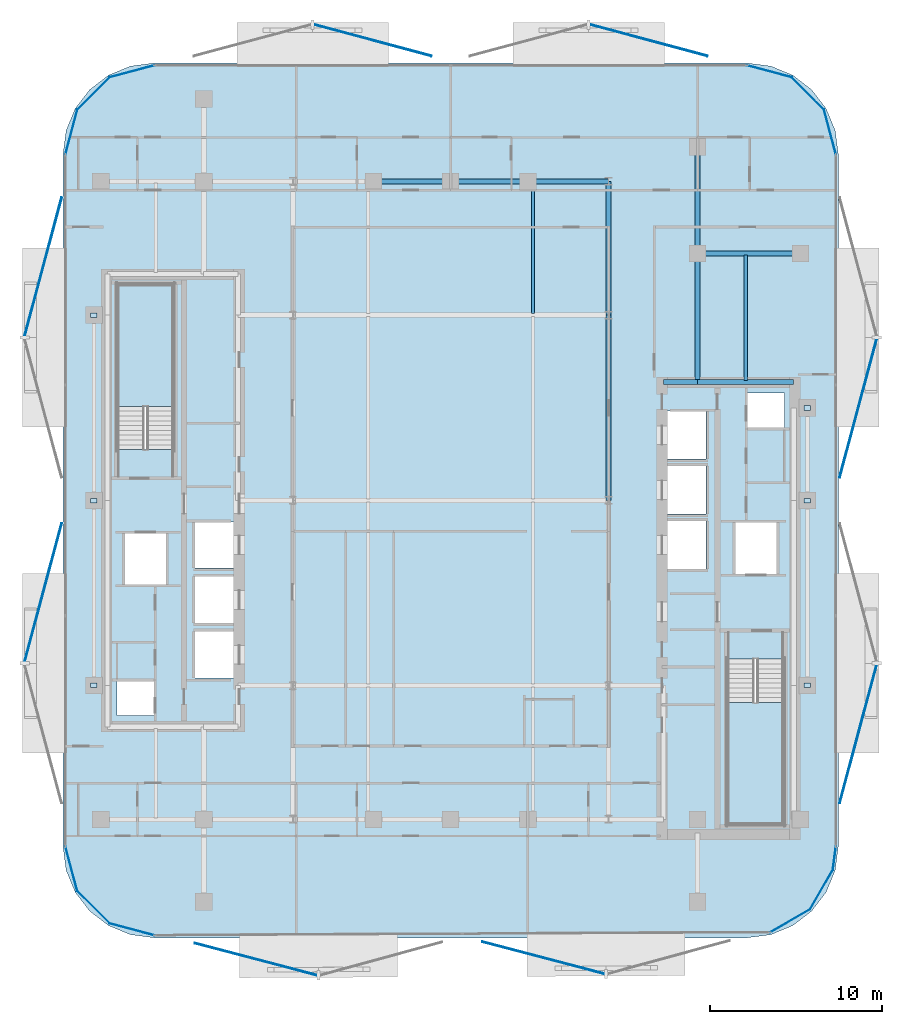
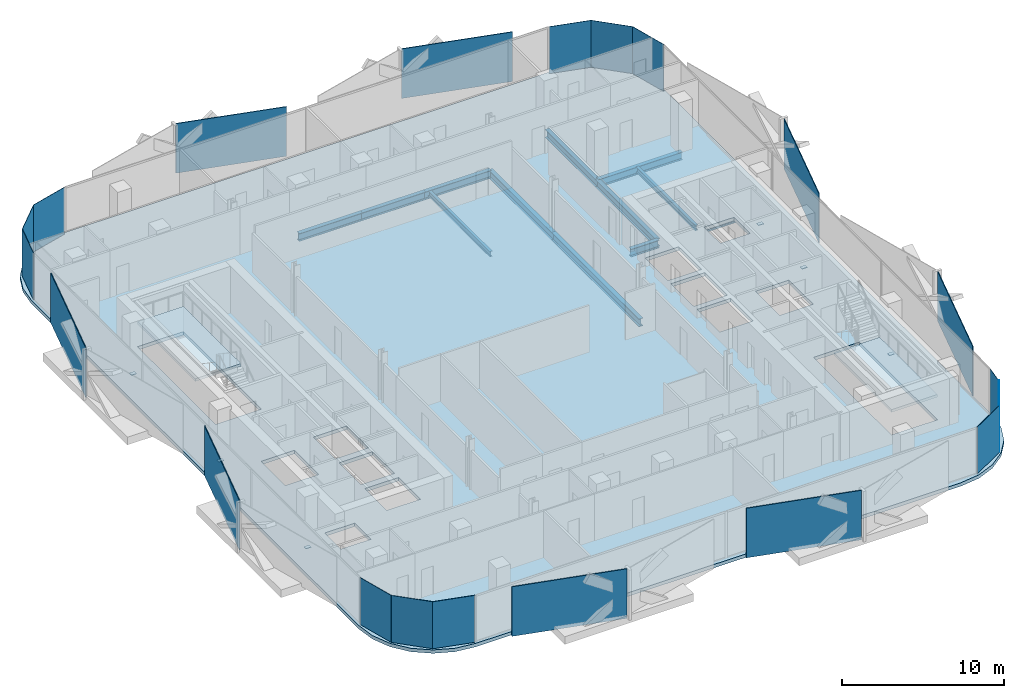
# One storey, part 2 of 17: 26 plates, 12 beams, 3 slabs, 2 elements without a shape of their own.
"""IFC4 building model written with IfcOpenShell, lengths in metres."""

from ifc_helpers import new_model, si_unit, direction, frame, origin, origin_2d, place, context, subcontext, project, spatial, polyline, rectangle, i_section, outline, extrude, material, layer, layer_set, material_profile, profile_set, type_object, element, aggregate, save


model = new_model("IFC4")

# Units and contexts
model_context = context("Model", 3, precision=1e-05, world=origin(), true_north=direction((0.0, 1.0)))
body_context = subcontext(model_context, "Body", "Model", "MODEL_VIEW")
ifc_project = project(units=[si_unit("LENGTHUNIT", "METRE"), si_unit("AREAUNIT", "SQUARE_METRE"), si_unit("VOLUMEUNIT", "CUBIC_METRE"), si_unit("PLANEANGLEUNIT", "RADIAN"), si_unit("MASSUNIT", "GRAM", prefix="KILO")], contexts=[model_context])

# Site, building, storey
site_placement = place(None, origin())
site = spatial("IfcSite", under=ifc_project, at=site_placement, CompositionType="ELEMENT")
building_placement = place(site_placement, origin())
building = spatial("IfcBuilding", under=site, at=building_placement, Name="Khairoan Windgate Tower", CompositionType="ELEMENT")
storey_placement = place(building_placement, frame((0.0, 0.0, 199.199951171875)))
storey = spatial("IfcBuildingStorey", under=building, at=storey_placement, Name="L46", CompositionType="ELEMENT", Elevation=199.199951171875)

# Beams
ifc_material_1 = material(Name="Steel S355", Category="steel")
ifc_material_profile_1 = material_profile(ifc_material_1, i_section(OverallWidth=0.300048828125, OverallDepth=0.587890625, WebThickness=0.011962890625, FlangeThickness=0.02001953125, FilletRadius=0.02392578125, at=origin_2d()))
ifc_profile_set_1 = profile_set([ifc_material_profile_1], Name="Steel S355")
beam_type_1 = type_object("IfcBeamType", Name="Beam B-G4 H588x300x12x20", PredefinedType="BEAM", material=ifc_profile_set_1)
beam_1_placement = place(storey_placement, frame((12.39990234375, 6.89990234375, -0.553955078125), z_axis=(1.0, 0.0, 0.0), x_axis=(0.0, 1.0, 0.0)))
element("IfcBeam", 1, at=beam_1_placement, inside=storey, type_object=beam_type_1, Name="L46 E-W Primary Girder 15", PredefinedType="BEAM", context=body_context, shape_type="SweptSolid", body=[
    extrude(i_section(OverallWidth=0.300048828125, OverallDepth=0.587890625, WebThickness=0.011962890625, FlangeThickness=0.02001953125, FilletRadius=0.02392578125, at=origin_2d()), origin(), (0.0, 0.0, 1.0), 2.0),
])
beam_2_placement = place(storey_placement, frame((14.39990234375, 6.89990234375, -0.553955078125), z_axis=(1.0, 0.0, 0.0), x_axis=(0.0, 1.0, 0.0)))
element("IfcBeam", 2, at=beam_2_placement, inside=storey, type_object=beam_type_1, Name="L46 E-W Primary Girder 16", PredefinedType="BEAM", context=body_context, shape_type="SweptSolid", body=[
    extrude(i_section(OverallWidth=0.300048828125, OverallDepth=0.587890625, WebThickness=0.011962890625, FlangeThickness=0.02001953125, FilletRadius=0.02392578125, at=origin_2d()), origin(), (0.0, 0.0, 1.0), 5.60009765625),
])
beam_3_placement = place(storey_placement, frame((14.39990234375, 14.39990234375, -0.553955078125), z_axis=(1.0, 0.0, 0.0), x_axis=(0.0, 1.0, 0.0)))
element("IfcBeam", 3, at=beam_3_placement, inside=storey, type_object=beam_type_1, Name="L46 E-W Primary Girder 21", PredefinedType="BEAM", context=body_context, shape_type="SweptSolid", body=[
    extrude(i_section(OverallWidth=0.300048828125, OverallDepth=0.587890625, WebThickness=0.011962890625, FlangeThickness=0.02001953125, FilletRadius=0.02392578125, at=origin_2d()), origin(), (0.0, 0.0, 1.0), 6.0),
])
for number, where, z_axis, x_axis, name in (
    (4, (-4.5, 18.60009765625, -0.553955078125), (1.0, 0.0, 0.0), (0.0, 1.0, 0.0), "L46 E-W Primary Girder 25"),
    (5, (0.0, 18.60009765625, -0.553955078125), (1.0, 0.0, 0.0), (0.0, 1.0, 0.0), "L46 E-W Primary Girder 26"),
):
    element("IfcBeam", number, at=place(storey_placement, frame(where, z_axis=z_axis, x_axis=x_axis)), inside=storey, type_object=beam_type_1, Name=name, PredefinedType="BEAM", context=body_context, shape_type="SweptSolid", body=[
        extrude(i_section(OverallWidth=0.300048828125, OverallDepth=0.587890625, WebThickness=0.011962890625, FlangeThickness=0.02001953125, FilletRadius=0.02392578125, at=origin_2d()), origin(), (0.0, 0.0, 1.0), 4.5),
    ])
beam_4_placement = place(storey_placement, frame((4.5, 18.60009765625, -0.553955078125), z_axis=(1.0, 0.0, 0.0), x_axis=(0.0, 1.0, 0.0)))
element("IfcBeam", 6, at=beam_4_placement, inside=storey, type_object=beam_type_1, Name="L46 E-W Primary Girder 27", PredefinedType="BEAM", context=body_context, shape_type="SweptSolid", body=[
    extrude(i_section(OverallWidth=0.300048828125, OverallDepth=0.587890625, WebThickness=0.011962890625, FlangeThickness=0.02001953125, FilletRadius=0.02392578125, at=origin_2d()), origin(), (0.0, 0.0, 1.0), 4.699951171875),
])
beam_5_placement = place(storey_placement, frame((9.199951171875, 0.0, -0.553955078125), z_axis=(0.0, 1.0, 0.0), x_axis=(-1.0, 0.0, 0.0)))
element("IfcBeam", 7, at=beam_5_placement, inside=storey, type_object=beam_type_1, Name="L46 N-S Primary Beam 47", PredefinedType="BEAM", context=body_context, shape_type="SweptSolid", body=[
    extrude(i_section(OverallWidth=0.300048828125, OverallDepth=0.587890625, WebThickness=0.011962890625, FlangeThickness=0.02001953125, FilletRadius=0.02392578125, at=origin_2d()), origin(), (0.0, 0.0, 1.0), 10.800048828125),
])
beam_6_placement = place(storey_placement, frame((9.199951171875, 10.800048828125, -0.553955078125), z_axis=(0.0, 1.0, 0.0), x_axis=(-1.0, 0.0, 0.0)))
element("IfcBeam", 8, at=beam_6_placement, inside=storey, type_object=beam_type_1, Name="L46 N-S Primary Beam 48", PredefinedType="BEAM", context=body_context, shape_type="SweptSolid", body=[
    extrude(i_section(OverallWidth=0.300048828125, OverallDepth=0.587890625, WebThickness=0.011962890625, FlangeThickness=0.02001953125, FilletRadius=0.02392578125, at=origin_2d()), origin(), (0.0, 0.0, 1.0), 7.800048828125),
])
beam_7_placement = place(storey_placement, frame((14.39990234375, 6.89990234375, -0.553955078125), z_axis=(0.0, 1.0, 0.0), x_axis=(-1.0, 0.0, 0.0)))
element("IfcBeam", 9, at=beam_7_placement, inside=storey, type_object=beam_type_1, Name="L46 N-S Primary Beam 51", PredefinedType="BEAM", context=body_context, shape_type="SweptSolid", body=[
    extrude(i_section(OverallWidth=0.300048828125, OverallDepth=0.587890625, WebThickness=0.011962890625, FlangeThickness=0.02001953125, FilletRadius=0.02392578125, at=origin_2d()), origin(), (0.0, 0.0, 1.0), 7.5),
])
beam_8_placement = place(storey_placement, frame((14.39990234375, 14.39990234375, -0.553955078125), z_axis=(0.0, 1.0, 0.0), x_axis=(-1.0, 0.0, 0.0)))
element("IfcBeam", 10, at=beam_8_placement, inside=storey, type_object=beam_type_1, Name="L46 N-S Primary Beam 52", PredefinedType="BEAM", context=body_context, shape_type="SweptSolid", body=[
    extrude(i_section(OverallWidth=0.300048828125, OverallDepth=0.587890625, WebThickness=0.011962890625, FlangeThickness=0.02001953125, FilletRadius=0.02392578125, at=origin_2d()), origin(), (0.0, 0.0, 1.0), 6.2001953125),
])
ifc_material_2 = material(Name="Steel S355", Category="steel")
ifc_material_profile_2 = material_profile(ifc_material_2, i_section(OverallWidth=0.199951171875, OverallDepth=0.39990234375, WebThickness=0.008056640625, FlangeThickness=0.012939453125, FilletRadius=0.01611328125, at=origin_2d()))
ifc_profile_set_2 = profile_set([ifc_material_profile_2], Name="Steel S355")
beam_type_2 = type_object("IfcBeamType", Name="Beam J-S4 H400x200x8x13", PredefinedType="JOIST", material=ifc_profile_set_2)
beam_9_placement = place(storey_placement, frame((4.800048828125, 10.889892578125, -0.4599609375), z_axis=(0.0, 1.0, 0.0), x_axis=(-1.0, 0.0, 0.0)))
element("IfcBeam", 11, at=beam_9_placement, inside=storey, type_object=beam_type_2, Name="L46 Secondary Floor Joist 10", PredefinedType="JOIST", context=body_context, shape_type="SweptSolid", body=[
    extrude(i_section(OverallWidth=0.199951171875, OverallDepth=0.39990234375, WebThickness=0.008056640625, FlangeThickness=0.012939453125, FilletRadius=0.01611328125, at=origin_2d()), origin(), (0.0, 0.0, 1.0), 7.6201171875),
])
beam_10_placement = place(storey_placement, frame((17.199951171875, 6.989990234375, -0.4599609375), z_axis=(0.0, 1.0, 0.0), x_axis=(-1.0, 0.0, 0.0)))
element("IfcBeam", 12, at=beam_10_placement, inside=storey, type_object=beam_type_2, Name="L46 Secondary Floor Joist 11", PredefinedType="JOIST", context=body_context, shape_type="SweptSolid", body=[
    extrude(i_section(OverallWidth=0.199951171875, OverallDepth=0.39990234375, WebThickness=0.008056640625, FlangeThickness=0.012939453125, FilletRadius=0.01611328125, at=origin_2d()), origin(), (0.0, 0.0, 1.0), 7.320068359375),
])

# Plates
ifc_material_3 = material(Name="Low-E Solar Control Laminated Glass", Category="glass")
ifc_layer_1 = layer(ifc_material_3, 0.030029296875, Name="Low-E Solar Control Laminated Glass")
ifc_layer_set_1 = layer_set([ifc_layer_1], Name="Low-E Solar Control Laminated Glass")
plate_type_1 = type_object("IfcPlateType", Name="Aerodynamic Wind-Corner Curved Glazing Plate", PredefinedType="USERDEFINED", material=ifc_layer_set_1)
plate_1_placement = place(storey_placement, frame((-18.585205078125, -25.013916015625, 0.0), z_axis=(0.0, 0.0, 1.0), x_axis=(-0.966061211211, 0.258313252067, 0.0)))
element("IfcPlate", 13, at=plate_1_placement, inside=storey, type_object=plate_type_1, Name="L46 Aerodynamic Wind-Corner Curved Glazing Panel 2", ObjectType="GLAZING PANEL", PredefinedType="USERDEFINED", context=body_context, shape_type="SweptSolid", body=[
    extrude(rectangle(XDim=2.719482421875, YDim=0.030029296875, at=origin_2d()), origin(), (0.0, 0.0, 1.0), 3.5400390625),
])
plate_2_placement = place(storey_placement, frame((-20.823486328125, -23.723388671875, 0.0), z_axis=(0.0, 0.0, 1.0), x_axis=(-0.707106781187, 0.707106781187, 0.0)))
element("IfcPlate", 14, at=plate_2_placement, inside=storey, type_object=plate_type_1, Name="L46 Aerodynamic Wind-Corner Curved Glazing Panel 3", ObjectType="GLAZING PANEL", PredefinedType="USERDEFINED", context=body_context, shape_type="SweptSolid", body=[
    extrude(rectangle(XDim=2.710205078125, YDim=0.030029296875, at=origin_2d()), origin(), (0.0, 0.0, 1.0), 3.5400390625),
])
for number, where, z_axis, x_axis, name in (
    (15, (-22.11376953125, -21.485107421875, 0.0), (0.0, 0.0, 1.0), (-0.258313252067, 0.966061211211, 0.0), "L46 Aerodynamic Wind-Corner Curved Glazing Panel 4"),
    (16, (-22.11376953125, 21.485107421875, 0.0), (0.0, 0.0, 1.0), (0.258313252067, 0.966061211211, 0.0), "L46 Aerodynamic Wind-Corner Curved Glazing Panel 6"),
):
    element("IfcPlate", number, at=place(storey_placement, frame(where, z_axis=z_axis, x_axis=x_axis)), inside=storey, type_object=plate_type_1, Name=name, ObjectType="GLAZING PANEL", PredefinedType="USERDEFINED", context=body_context, shape_type="SweptSolid", body=[
        extrude(rectangle(XDim=2.719482421875, YDim=0.030029296875, at=origin_2d()), origin(), (0.0, 0.0, 1.0), 3.5400390625),
    ])
plate_3_placement = place(storey_placement, frame((-20.823486328125, 23.723388671875, 0.0), z_axis=(0.0, 0.0, 1.0), x_axis=(0.707106781187, 0.707106781187, 0.0)))
element("IfcPlate", 17, at=plate_3_placement, inside=storey, type_object=plate_type_1, Name="L46 Aerodynamic Wind-Corner Curved Glazing Panel 7", ObjectType="GLAZING PANEL", PredefinedType="USERDEFINED", context=body_context, shape_type="SweptSolid", body=[
    extrude(rectangle(XDim=2.710205078125, YDim=0.030029296875, at=origin_2d()), origin(), (0.0, 0.0, 1.0), 3.5400390625),
])
for number, where, z_axis, x_axis, name in (
    (18, (-18.585205078125, 25.013916015625, 0.0), (0.0, 0.0, 1.0), (0.966061211211, 0.258313252067, 0.0), "L46 Aerodynamic Wind-Corner Curved Glazing Panel 8"),
    (19, (18.585205078125, 25.013916015625, 0.0), (0.0, 0.0, 1.0), (0.966061211211, -0.258313252067, 0.0), "L46 Aerodynamic Wind-Corner Curved Glazing Panel 10"),
):
    element("IfcPlate", number, at=place(storey_placement, frame(where, z_axis=z_axis, x_axis=x_axis)), inside=storey, type_object=plate_type_1, Name=name, ObjectType="GLAZING PANEL", PredefinedType="USERDEFINED", context=body_context, shape_type="SweptSolid", body=[
        extrude(rectangle(XDim=2.719482421875, YDim=0.030029296875, at=origin_2d()), origin(), (0.0, 0.0, 1.0), 3.5400390625),
    ])
plate_4_placement = place(storey_placement, frame((20.823486328125, 23.723388671875, 0.0), z_axis=(0.0, 0.0, 1.0), x_axis=(0.707106781187, -0.707106781187, 0.0)))
element("IfcPlate", 20, at=plate_4_placement, inside=storey, type_object=plate_type_1, Name="L46 Aerodynamic Wind-Corner Curved Glazing Panel 11", ObjectType="GLAZING PANEL", PredefinedType="USERDEFINED", context=body_context, shape_type="SweptSolid", body=[
    extrude(rectangle(XDim=2.710205078125, YDim=0.030029296875, at=origin_2d()), origin(), (0.0, 0.0, 1.0), 3.5400390625),
])
plate_5_placement = place(storey_placement, frame((22.11376953125, 21.485107421875, 0.0), z_axis=(0.0, 0.0, 1.0), x_axis=(0.258313252067, -0.966061211211, 0.0)))
element("IfcPlate", 21, at=plate_5_placement, inside=storey, type_object=plate_type_1, Name="L46 Aerodynamic Wind-Corner Curved Glazing Panel 12", ObjectType="GLAZING PANEL", PredefinedType="USERDEFINED", context=body_context, shape_type="SweptSolid", body=[
    extrude(rectangle(XDim=2.719482421875, YDim=0.030029296875, at=origin_2d()), origin(), (0.0, 0.0, 1.0), 3.5400390625),
])
plate_6_placement = place(storey_placement, frame((22.37158203125, -20.863037109375, 0.0), z_axis=(0.0, 0.0, 1.0), x_axis=(-0.13052619222, -0.991444861374, 0.0)))
element("IfcPlate", 22, at=plate_6_placement, inside=storey, type_object=plate_type_1, Name="L46 Aerodynamic Wind-Corner Curved Glazing Panel 14", ObjectType="GLAZING PANEL", PredefinedType="USERDEFINED", context=body_context, shape_type="SweptSolid", body=[
    extrude(rectangle(XDim=1.39599609375, YDim=0.030029296875, at=origin_2d()), origin(), (0.0, 0.0, 1.0), 3.5400390625),
])
for number, where, z_axis, x_axis, name in (
    (23, (21.615478515625, -22.69140625, 0.0), (0.0, 0.0, 1.0), (-0.5, -0.866025403784, 0.0), "L46 Aerodynamic Wind-Corner Curved Glazing Panel 15"),
    (24, (19.79150390625, -24.515380859375, 0.0), (0.0, 0.0, 1.0), (-0.866025403784, -0.5, 0.0), "L46 Aerodynamic Wind-Corner Curved Glazing Panel 16"),
):
    element("IfcPlate", number, at=place(storey_placement, frame(where, z_axis=z_axis, x_axis=x_axis)), inside=storey, type_object=plate_type_1, Name=name, ObjectType="GLAZING PANEL", PredefinedType="USERDEFINED", context=body_context, shape_type="SweptSolid", body=[
        extrude(rectangle(XDim=2.71044921875, YDim=0.030029296875, at=origin_2d()), origin(), (0.0, 0.0, 1.0), 3.5400390625),
    ])
ifc_material_4 = material(Name="Steel S355", Category="steel")
ifc_layer_2 = layer(ifc_material_4, 0.0400390625, Name="Steel S355")
ifc_layer_set_2 = layer_set([ifc_layer_2], Name="Steel S355")
plate_type_2 = type_object("IfcPlateType", Name="Hollow Section End-Cap Plate PL-CAP40", PredefinedType="SHEET", material=ifc_layer_set_2)
for number, where, z_axis, x_axis, name in (
    (25, (-20.800048828125, -10.784912109375, -0.455078125), (0.0, 0.0, 1.0), (0.0, 1.0, 0.0), "BM-SP-L46-028 steel end-cap plate 1"),
    (26, (-20.800048828125, -0.014892578125, -0.455078125), (0.0, 0.0, 1.0), (0.0, 1.0, 0.0), "BM-SP-L46-028 steel end-cap plate 2"),
    (27, (-20.800048828125, 10.784912109375, -0.455078125), (0.0, 0.0, 1.0), (0.0, 1.0, 0.0), "BM-SP-L46-029 steel end-cap plate 2"),
    (28, (20.800048828125, -10.784912109375, -0.455078125), (0.0, 0.0, 1.0), (0.0, 1.0, 0.0), "BM-SP-L46-056 steel end-cap plate 1"),
    (29, (20.800048828125, -0.014892578125, -0.455078125), (0.0, 0.0, 1.0), (0.0, 1.0, 0.0), "BM-SP-L46-056 steel end-cap plate 2"),
    (30, (20.800048828125, 5.385009765625, -0.455078125), (0.0, 0.0, 1.0), (0.0, 1.0, 0.0), "BM-SP-L46-057 steel end-cap plate 2"),
):
    element("IfcPlate", number, at=place(storey_placement, frame(where, z_axis=z_axis, x_axis=x_axis)), inside=storey, type_object=plate_type_2, Name=name, PredefinedType="SHEET", context=body_context, shape_type="SweptSolid", body=[
        extrude(rectangle(XDim=0.27001953125, YDim=0.3701171875, at=origin_2d()), origin(), (0.0, 0.0, 1.0), 0.0400390625),
    ])
ifc_material_5 = material(Name="Anodised Bronze Aluminium 6063-T6", Category="aluminium")
ifc_layer_3 = layer(ifc_material_5, 0.054931640625, Name="Anodised Bronze Aluminium 6063-T6")
ifc_layer_set_3 = layer_set([ifc_layer_3], Name="Anodised Bronze Aluminium 6063-T6")
plate_type_3 = type_object("IfcPlateType", Name="Perforated Bronze Solar Screen Panel BSP-1", PredefinedType="USERDEFINED", material=ifc_layer_set_3)
for number, where, z_axis, x_axis, name in (
    (31, (5.408447265625, -26.673583984375, -0.10009765625), (0.0, 0.0, 1.0), (-0.967179115616, 0.254095569259, 0.0), "L46 Perforated Bronze Solar Screen Panel 305R"),
    (32, (-11.3544921875, -26.756103515625, -0.10009765625), (0.0, 0.0, 1.0), (-0.967179115616, 0.254095569259, 0.0), "L46 Perforated Bronze Solar Screen Panel 306R"),
):
    element("IfcPlate", number, at=place(storey_placement, frame(where, z_axis=z_axis, x_axis=x_axis)), inside=storey, type_object=plate_type_3, Name=name, ObjectType="SCREEN", PredefinedType="USERDEFINED", context=body_context, shape_type="SweptSolid", body=[
        extrude(rectangle(XDim=7.3759765625, YDim=0.054931640625, at=origin_2d()), origin(), (0.0, 0.0, 1.0), 3.739990234375),
    ])
for number, where, z_axis, x_axis, name in (
    (33, (-23.7587890625, -5.369873046875, -0.10009765625), (0.0, 0.0, 1.0), (0.258819045103, 0.965925826289, 0.0), "L46 Perforated Bronze Solar Screen Panel 307R"),
    (34, (-23.7587890625, 13.62109375, -0.10009765625), (0.0, 0.0, 1.0), (0.258819045103, 0.965925826289, 0.0), "L46 Perforated Bronze Solar Screen Panel 308R"),
):
    element("IfcPlate", number, at=place(storey_placement, frame(where, z_axis=z_axis, x_axis=x_axis)), inside=storey, type_object=plate_type_3, Name=name, ObjectType="SCREEN", PredefinedType="USERDEFINED", context=body_context, shape_type="SweptSolid", body=[
        extrude(rectangle(XDim=8.35595703125, YDim=0.054931640625, at=origin_2d()), origin(), (0.0, 0.0, 1.0), 3.739990234375),
    ])
for number, where, z_axis, x_axis, name in (
    (35, (-4.535888671875, 26.82373046875, -0.10009765625), (0.0, 0.0, 1.0), (0.965925826289, -0.258819045103, 0.0), "L46 Perforated Bronze Solar Screen Panel 309R"),
    (36, (11.5546875, 26.82373046875, -0.10009765625), (0.0, 0.0, 1.0), (0.965925826289, -0.258819045103, 0.0), "L46 Perforated Bronze Solar Screen Panel 310R"),
):
    element("IfcPlate", number, at=place(storey_placement, frame(where, z_axis=z_axis, x_axis=x_axis)), inside=storey, type_object=plate_type_3, Name=name, ObjectType="SCREEN", PredefinedType="USERDEFINED", context=body_context, shape_type="SweptSolid", body=[
        extrude(rectangle(XDim=7.080078125, YDim=0.054931640625, at=origin_2d()), origin(), (0.0, 0.0, 1.0), 3.739990234375),
    ])
for number, where, z_axis, x_axis, name in (
    (37, (23.7587890625, 5.369873046875, -0.10009765625), (0.0, 0.0, 1.0), (-0.258819045103, -0.965925826289, 0.0), "L46 Perforated Bronze Solar Screen Panel 311R"),
    (38, (23.7587890625, -13.62109375, -0.10009765625), (0.0, 0.0, 1.0), (-0.258819045103, -0.965925826289, 0.0), "L46 Perforated Bronze Solar Screen Panel 312R"),
):
    element("IfcPlate", number, at=place(storey_placement, frame(where, z_axis=z_axis, x_axis=x_axis)), inside=storey, type_object=plate_type_3, Name=name, ObjectType="SCREEN", PredefinedType="USERDEFINED", context=body_context, shape_type="SweptSolid", body=[
        extrude(rectangle(XDim=8.35595703125, YDim=0.054931640625, at=origin_2d()), origin(), (0.0, 0.0, 1.0), 3.739990234375),
    ])

# Stair, slab
ifc_material_6 = material(Name="Concrete C40/50", Category="concrete")
stair_type = type_object("IfcStairType", Name="Tower Core Dog-Leg Stair ST-T1 1560mm", PredefinedType="HALF_TURN_STAIR", material=ifc_material_6)
stair_1_placement = place(storey_placement, origin())
stair_1 = element("IfcStair", 39, at=stair_1_placement, inside=storey, type_object=stair_type, Name="L46 Stair ST1", PredefinedType="HALF_TURN_STAIR")
ifc_material_7 = material(Name="Concrete C40/50", Category="concrete")
ifc_layer_4 = layer(ifc_material_7, 0.199951171875, Name="Concrete C40/50")
ifc_layer_set_4 = layer_set([ifc_layer_4], Name="Concrete C40/50")
slab_type_1 = type_object("IfcSlabType", Name="Reinforced Concrete Stair Landing Slab STL-200", PredefinedType="LANDING", material=ifc_layer_set_4)
slab_1_placement = place(storey_placement, frame((0.0, 0.0, 1.699951171875)))
slab_1 = element("IfcSlab", 40, at=slab_1_placement, type_object=slab_type_1, Name="ST1 landing 1", PredefinedType="LANDING", context=body_context, shape_type="SweptSolid", body=[
    extrude(outline(polyline([(16.14990234375, -11.780029296875), (16.14990234375, -18.89990234375), (19.419921875, -18.89990234375), (19.419921875, -11.780029296875), (16.14990234375, -11.780029296875)])), origin(), (0.0, 0.0, 1.0), 0.2001953125),
])
aggregate(stair_1, [slab_1])

stair_2_placement = place(storey_placement, origin())
stair_2 = element("IfcStair", 41, at=stair_2_placement, inside=storey, type_object=stair_type, Name="L46 Stair ST2", PredefinedType="HALF_TURN_STAIR")
slab_2_placement = place(storey_placement, frame((0.0, 0.0, 1.699951171875)))
slab_2 = element("IfcSlab", 42, at=slab_2_placement, type_object=slab_type_1, Name="ST2 landing 1", PredefinedType="LANDING", context=body_context, shape_type="SweptSolid", body=[
    extrude(outline(polyline([(-16.14990234375, 5.47998046875), (-16.14990234375, 12.60009765625), (-19.419921875, 12.60009765625), (-19.419921875, 5.47998046875), (-16.14990234375, 5.47998046875)])), origin(), (0.0, 0.0, 1.0), 0.2001953125),
])
aggregate(stair_2, [slab_2])

# Slab
ifc_material_8 = material(Name="Concrete C40/50", Category="concrete")
ifc_layer_5 = layer(ifc_material_8, 0.260009765625, Name="Concrete C40/50")
ifc_layer_set_5 = layer_set([ifc_layer_5], Name="Concrete C40/50")
slab_type_2 = type_object("IfcSlabType", Name="Tower Composite Floor Slab FS2 260mm", PredefinedType="FLOOR", material=ifc_layer_set_5)
slab_3_placement = place(storey_placement, frame((0.0, 0.0, -0.260009765625)))
element("IfcSlab", 43, at=slab_3_placement, inside=storey, type_object=slab_type_2, Name="L46 Structural Floor Slab", PredefinedType="FLOOR", context=body_context, shape_type="SweptSolid", body=[
    extrude(outline(polyline([(17.300048828125, -25.5), (18.671630859375, -25.3193359375), (19.949951171875, -24.789794921875), (21.047607421875, -23.94775390625), (21.889892578125, -22.85009765625), (22.41943359375, -21.57177734375), (22.60009765625, -20.199951171875), (22.60009765625, 20.199951171875), (22.41943359375, 21.57177734375), (21.889892578125, 22.85009765625), (21.047607421875, 23.94775390625), (19.949951171875, 24.789794921875), (18.671630859375, 25.3193359375), (17.300048828125, 25.5), (-17.300048828125, 25.5), (-18.671630859375, 25.3193359375), (-19.949951171875, 24.789794921875), (-21.047607421875, 23.94775390625), (-21.889892578125, 22.85009765625), (-22.41943359375, 21.57177734375), (-22.60009765625, 20.199951171875), (-22.60009765625, -20.199951171875), (-22.41943359375, -21.57177734375), (-21.889892578125, -22.85009765625), (-21.047607421875, -23.94775390625), (-19.949951171875, -24.789794921875), (-18.671630859375, -25.3193359375), (-17.300048828125, -25.5), (17.300048828125, -25.5)]), holes=[polyline([(16.14990234375, -9.260009765625), (16.14990234375, -18.89990234375), (19.419921875, -18.89990234375), (19.419921875, -9.260009765625), (16.14990234375, -9.260009765625)]), polyline([(-16.14990234375, 2.9599609375), (-16.14990234375, 12.60009765625), (-19.419921875, 12.60009765625), (-19.419921875, 2.9599609375), (-16.14990234375, 2.9599609375)]), polyline([(-14.89990234375, -3.949951171875), (-12.5, -3.949951171875), (-12.5, -1.25), (-14.89990234375, -1.25), (-14.89990234375, -3.949951171875)]), polyline([(-14.89990234375, -7.14990234375), (-12.5, -7.14990234375), (-12.5, -4.449951171875), (-14.89990234375, -4.449951171875), (-14.89990234375, -7.14990234375)]), polyline([(-14.89990234375, -10.35009765625), (-12.5, -10.35009765625), (-12.5, -7.64990234375), (-14.89990234375, -7.64990234375), (-14.89990234375, -10.35009765625)]), polyline([(12.5, 2.39990234375), (14.89990234375, 2.39990234375), (14.89990234375, 5.199951171875), (12.5, 5.199951171875), (12.5, 2.39990234375)]), polyline([(12.5, -0.800048828125), (14.89990234375, -0.800048828125), (14.89990234375, 2.0), (12.5, 2.0), (12.5, -0.800048828125)]), polyline([(12.5, -4.0), (14.89990234375, -4.0), (14.89990234375, -1.199951171875), (12.5, -1.199951171875), (12.5, -4.0)]), polyline([(16.60009765625, -4.300048828125), (19.0, -4.300048828125), (19.0, -1.300048828125), (16.60009765625, -1.300048828125), (16.60009765625, -4.300048828125)]), polyline([(-19.0, -4.89990234375), (-16.60009765625, -4.89990234375), (-16.60009765625, -1.89990234375), (-19.0, -1.89990234375), (-19.0, -4.89990234375)]), polyline([(-19.449951171875, -12.550048828125), (-17.31005859375, -12.550048828125), (-17.31005859375, -10.550048828125), (-19.449951171875, -10.550048828125), (-19.449951171875, -12.550048828125)]), polyline([(17.31005859375, 4.25), (19.449951171875, 4.25), (19.449951171875, 6.25), (17.31005859375, 6.25), (17.31005859375, 4.25)])]), origin(), (0.0, 0.0, 1.0), 0.260009765625),
])

save(model, "model.ifc")
